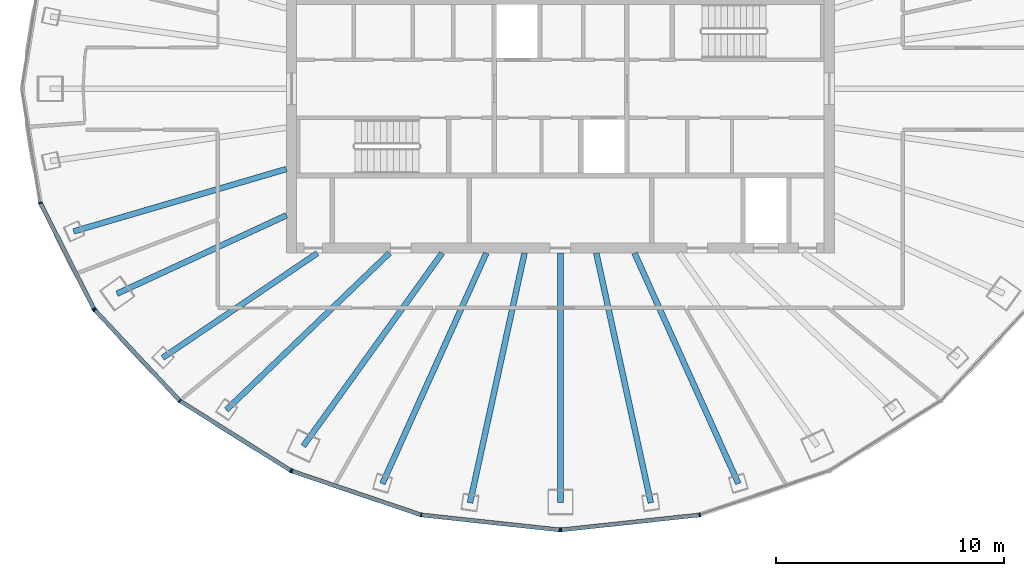
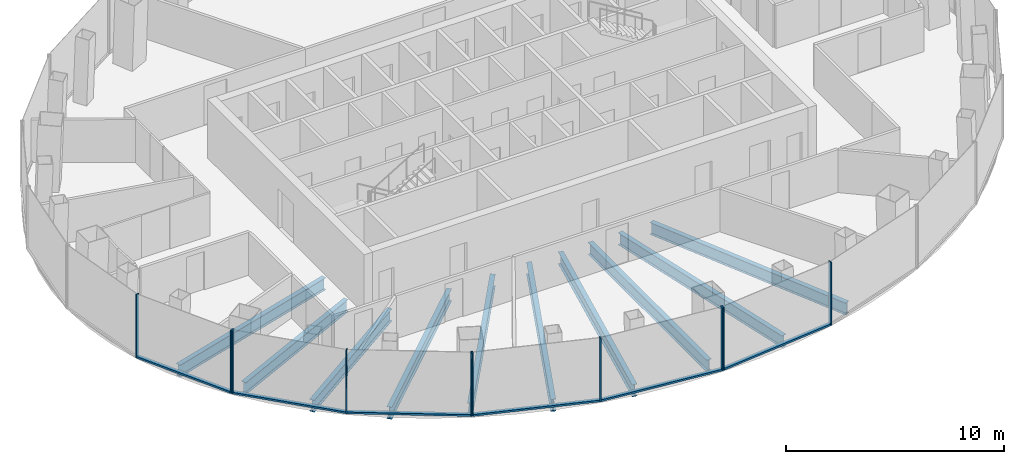
# One storey, part 2 of 13: 16 members, 10 beams, 4 elements without a shape of their own.
"""IFC4 building model written with IfcOpenShell, lengths in metres."""

from ifc_helpers import new_model, si_unit, direction, frame, origin, origin_2d, place, context, subcontext, project, spatial, rectangle, i_section, extrude, material, layer, layer_set, material_profile, profile_set, type_object, element, aggregate, save


model = new_model("IFC4")

# Units and contexts
model_context = context("Model", 3, precision=1e-05, world=origin(), true_north=direction((0.0, 1.0)))
body_context = subcontext(model_context, "Body", "Model", "MODEL_VIEW")
ifc_project = project(units=[si_unit("LENGTHUNIT", "METRE"), si_unit("AREAUNIT", "SQUARE_METRE"), si_unit("VOLUMEUNIT", "CUBIC_METRE"), si_unit("PLANEANGLEUNIT", "RADIAN"), si_unit("MASSUNIT", "GRAM", prefix="KILO")], contexts=[model_context])

# Site, building, storey
site_placement = place(None, origin())
site = spatial("IfcSite", under=ifc_project, at=site_placement, CompositionType="ELEMENT")
building_placement = place(site_placement, origin())
building = spatial("IfcBuilding", under=site, at=building_placement, Name="Siaravel Broadcast Tower", CompositionType="ELEMENT")
storey_placement = place(building_placement, frame((0.0, 0.0, 175.60009765625)))
storey = spatial("IfcBuildingStorey", under=building, at=storey_placement, Name="L42", CompositionType="ELEMENT", Elevation=175.60009765625)

# Beams
ifc_material_1 = material(Name="Steel S355", Category="steel")
ifc_material_profile_1 = material_profile(ifc_material_1, i_section(OverallWidth=0.2529296875, OverallDepth=0.677978515625, WebThickness=0.01171875, FlangeThickness=0.01611328125, FilletRadius=0.01513671875, at=origin_2d()))
ifc_profile_set_1 = profile_set([ifc_material_profile_1], Name="Steel S355")
beam_type = type_object("IfcBeamType", Name="BM-UB 686x254x125", PredefinedType="BEAM", material=ifc_profile_set_1)
beam_1_placement = place(storey_placement, frame((-21.318603515625, -6.248779296875, -0.489013671875), z_axis=(0.959624917, 0.28128281, 0.0), x_axis=(-0.28128281, 0.959624917, 0.0)))
element("IfcBeam", 1, at=beam_1_placement, inside=storey, type_object=beam_type, Name="Radial beam RB21", PredefinedType="BEAM", context=body_context, shape_type="SweptSolid", body=[
    extrude(i_section(OverallWidth=0.2529296875, OverallDepth=0.677978515625, WebThickness=0.01171875, FlangeThickness=0.01611328125, FilletRadius=0.01513671875, at=origin_2d()), origin(), (0.0, 0.0, 1.0), 9.710693359375),
])
beam_2_placement = place(storey_placement, frame((-19.421875, -8.976318359375, -0.489013671875), z_axis=(0.907740774, 0.419531509, 0.0), x_axis=(-0.419531509, 0.907740774, 0.0)))
element("IfcBeam", 2, at=beam_2_placement, inside=storey, type_object=beam_type, Name="Radial beam RB22", PredefinedType="BEAM", context=body_context, shape_type="SweptSolid", body=[
    extrude(i_section(OverallWidth=0.2529296875, OverallDepth=0.677978515625, WebThickness=0.01171875, FlangeThickness=0.01611328125, FilletRadius=0.01513671875, at=origin_2d()), origin(), (0.0, 0.0, 1.0), 8.17626953125),
])
beam_3_placement = place(storey_placement, frame((-17.416015625, -11.781982421875, -0.489013671875), z_axis=(0.828264666, 0.560337079, 0.0), x_axis=(-0.560337079, 0.828264666, 0.0)))
element("IfcBeam", 3, at=beam_3_placement, inside=storey, type_object=beam_type, Name="Radial beam RB23", PredefinedType="BEAM", context=body_context, shape_type="SweptSolid", body=[
    extrude(i_section(OverallWidth=0.2529296875, OverallDepth=0.677978515625, WebThickness=0.01171875, FlangeThickness=0.01611328125, FilletRadius=0.01513671875, at=origin_2d()), origin(), (0.0, 0.0, 1.0), 8.17724609375),
])
beam_4_placement = place(storey_placement, frame((-14.629638671875, -14.064208984375, -0.489013671875), z_axis=(0.720896533, 0.693042704, 0.0), x_axis=(-0.693042704, 0.720896533, 0.0)))
element("IfcBeam", 4, at=beam_4_placement, inside=storey, type_object=beam_type, Name="Radial beam RB24", PredefinedType="BEAM", context=body_context, shape_type="SweptSolid", body=[
    extrude(i_section(OverallWidth=0.2529296875, OverallDepth=0.677978515625, WebThickness=0.01171875, FlangeThickness=0.01611328125, FilletRadius=0.01513671875, at=origin_2d()), origin(), (0.0, 0.0, 1.0), 9.904541015625),
])
beam_5_placement = place(storey_placement, frame((-11.261962890625, -15.650634765625, -0.489013671875), z_axis=(0.584087257, 0.811690875, 0.0), x_axis=(-0.811690875, 0.584087257, 0.0)))
element("IfcBeam", 5, at=beam_5_placement, inside=storey, type_object=beam_type, Name="Radial beam RB25", PredefinedType="BEAM", context=body_context, shape_type="SweptSolid", body=[
    extrude(i_section(OverallWidth=0.2529296875, OverallDepth=0.677978515625, WebThickness=0.01171875, FlangeThickness=0.01611328125, FilletRadius=0.01513671875, at=origin_2d()), origin(), (0.0, 0.0, 1.0), 10.4111328125),
])
beam_6_placement = place(storey_placement, frame((-7.796875, -17.29443359375, -0.489013671875), z_axis=(0.410985242, 0.911641997, 0.0), x_axis=(-0.911641997, 0.410985242, 0.0)))
element("IfcBeam", 6, at=beam_6_placement, inside=storey, type_object=beam_type, Name="Radial beam RB26", PredefinedType="BEAM", context=body_context, shape_type="SweptSolid", body=[
    extrude(i_section(OverallWidth=0.2529296875, OverallDepth=0.677978515625, WebThickness=0.01171875, FlangeThickness=0.01611328125, FilletRadius=0.01513671875, at=origin_2d()), origin(), (0.0, 0.0, 1.0), 11.07275390625),
])
beam_7_placement = place(storey_placement, frame((-3.960205078125, -18.136474609375, -0.489013671875), z_axis=(0.213319616, 0.976982467, 0.0), x_axis=(-0.976982467, 0.213319616, 0.0)))
element("IfcBeam", 7, at=beam_7_placement, inside=storey, type_object=beam_type, Name="Radial beam RB27", PredefinedType="BEAM", context=body_context, shape_type="SweptSolid", body=[
    extrude(i_section(OverallWidth=0.2529296875, OverallDepth=0.677978515625, WebThickness=0.01171875, FlangeThickness=0.01611328125, FilletRadius=0.01513671875, at=origin_2d()), origin(), (0.0, 0.0, 1.0), 11.194091796875),
])
beam_8_placement = place(storey_placement, frame((0.0, -18.1201171875, -0.489013671875), z_axis=(0.0, 1.0, 0.0), x_axis=(-1.0, 0.0, 0.0)))
element("IfcBeam", 8, at=beam_8_placement, inside=storey, type_object=beam_type, Name="Radial beam RB28", PredefinedType="BEAM", context=body_context, shape_type="SweptSolid", body=[
    extrude(i_section(OverallWidth=0.2529296875, OverallDepth=0.677978515625, WebThickness=0.01171875, FlangeThickness=0.01611328125, FilletRadius=0.01513671875, at=origin_2d()), origin(), (0.0, 0.0, 1.0), 10.920166015625),
])
beam_9_placement = place(storey_placement, frame((3.960205078125, -18.136474609375, -0.489013671875), z_axis=(-0.213319616, 0.976982467, 0.0), x_axis=(-0.976982467, -0.213319616, 0.0)))
element("IfcBeam", 9, at=beam_9_placement, inside=storey, type_object=beam_type, Name="Radial beam RB29", PredefinedType="BEAM", context=body_context, shape_type="SweptSolid", body=[
    extrude(i_section(OverallWidth=0.2529296875, OverallDepth=0.677978515625, WebThickness=0.01171875, FlangeThickness=0.01611328125, FilletRadius=0.01513671875, at=origin_2d()), origin(), (0.0, 0.0, 1.0), 11.194091796875),
])
beam_10_placement = place(storey_placement, frame((7.796875, -17.29443359375, -0.489013671875), z_axis=(-0.410985242, 0.911641997, 0.0), x_axis=(-0.911641997, -0.410985242, 0.0)))
element("IfcBeam", 10, at=beam_10_placement, inside=storey, type_object=beam_type, Name="Radial beam RB30", PredefinedType="BEAM", context=body_context, shape_type="SweptSolid", body=[
    extrude(i_section(OverallWidth=0.2529296875, OverallDepth=0.677978515625, WebThickness=0.01171875, FlangeThickness=0.01611328125, FilletRadius=0.01513671875, at=origin_2d()), origin(), (0.0, 0.0, 1.0), 11.07275390625),
])

# Curtain wall, members
ifc_material_2 = material(Name="Aluminium 6063-T6", Category="aluminium")
ifc_layer = layer(ifc_material_2, 0.179931640625)
ifc_layer_set = layer_set([ifc_layer], Name="Aluminium 6063-T6")
curtain_wall_type = type_object("IfcCurtainWallType", Name="Unitised curtain wall, zone 3", PredefinedType="NOTDEFINED", material=ifc_layer_set)
curtain_wall_1_placement = place(storey_placement, origin())
curtain_wall_1 = element("IfcCurtainWall", 11, at=curtain_wall_1_placement, inside=storey, type_object=curtain_wall_type, Name="L42 Unitised curtain wall, zone 3 07", PredefinedType="NOTDEFINED")
ifc_material_profile_2 = material_profile(ifc_material_2, rectangle(XDim=0.179931640625, YDim=0.06005859375, at=origin_2d()))
ifc_profile_set_2 = profile_set([ifc_material_profile_2], Name="Aluminium 6063-T6")
member_type_1 = type_object("IfcMemberType", Name="CW-Z3 mullion", PredefinedType="MULLION", material=ifc_profile_set_2)
member_1_placement = place(storey_placement, frame((-22.7744140625, -5.003662109375, 0.0), z_axis=(0.0, 0.0, 1.0), x_axis=(0.951177137, 0.308645515, 0.0)))
member_1 = element("IfcMember", 12, at=member_1_placement, type_object=member_type_1, Name="CW-Z3 mullion 2", PredefinedType="MULLION", context=body_context, shape_type="SweptSolid", body=[
    extrude(rectangle(XDim=0.179931640625, YDim=0.06005859375, at=origin_2d()), origin(), (0.0, 0.0, 1.0), 3.5498046875),
])
member_2_placement = place(storey_placement, frame((-20.430908203125, -9.63818359375, 0.0), z_axis=(0.0, 0.0, 1.0), x_axis=(0.892391915, 0.4512612, 0.0)))
member_2 = element("IfcMember", 13, at=member_2_placement, type_object=member_type_1, Name="CW-Z3 mullion 3", PredefinedType="MULLION", context=body_context, shape_type="SweptSolid", body=[
    extrude(rectangle(XDim=0.179931640625, YDim=0.06005859375, at=origin_2d()), origin(), (0.0, 0.0, 1.0), 3.5498046875),
])

curtain_wall_2_placement = place(storey_placement, origin())
curtain_wall_2 = element("IfcCurtainWall", 14, at=curtain_wall_2_placement, inside=storey, type_object=curtain_wall_type, Name="L42 Unitised curtain wall, zone 3 08", PredefinedType="NOTDEFINED")
member_3_placement = place(storey_placement, frame((-20.396728515625, -9.68701171875, 0.0), z_axis=(0.0, 0.0, 1.0), x_axis=(0.729804878, 0.683655498, 0.0)))
member_3 = element("IfcMember", 15, at=member_3_placement, type_object=member_type_1, Name="CW-Z3 mullion 1", PredefinedType="MULLION", context=body_context, shape_type="SweptSolid", body=[
    extrude(rectangle(XDim=0.179931640625, YDim=0.06005859375, at=origin_2d()), origin(), (0.0, 0.0, 1.0), 3.5498046875),
])
member_4_placement = place(storey_placement, frame((-16.6689453125, -13.66650390625, 0.0), z_axis=(0.0, 0.0, 1.0), x_axis=(0.63621823, 0.771509147, 0.0)))
member_4 = element("IfcMember", 16, at=member_4_placement, type_object=member_type_1, Name="CW-Z3 mullion 2", PredefinedType="MULLION", context=body_context, shape_type="SweptSolid", body=[
    extrude(rectangle(XDim=0.179931640625, YDim=0.06005859375, at=origin_2d()), origin(), (0.0, 0.0, 1.0), 3.5498046875),
])
member_5_placement = place(storey_placement, frame((-11.81103515625, -16.7197265625, 0.0), z_axis=(0.0, 0.0, 1.0), x_axis=(0.532148789, 0.846650852, 0.0)))
member_5 = element("IfcMember", 17, at=member_5_placement, type_object=member_type_1, Name="CW-Z3 mullion 3", PredefinedType="MULLION", context=body_context, shape_type="SweptSolid", body=[
    extrude(rectangle(XDim=0.179931640625, YDim=0.06005859375, at=origin_2d()), origin(), (0.0, 0.0, 1.0), 3.5498046875),
])

curtain_wall_3_placement = place(storey_placement, origin())
curtain_wall_3 = element("IfcCurtainWall", 18, at=curtain_wall_3_placement, inside=storey, type_object=curtain_wall_type, Name="L42 Unitised curtain wall, zone 3 09", PredefinedType="NOTDEFINED")
member_6_placement = place(storey_placement, frame((-11.75732421875, -16.745361328125, 0.0), z_axis=(0.0, 0.0, 1.0), x_axis=(0.321300283, 0.946977364, 0.0)))
member_6 = element("IfcMember", 19, at=member_6_placement, type_object=member_type_1, Name="CW-Z3 mullion 1", PredefinedType="MULLION", context=body_context, shape_type="SweptSolid", body=[
    extrude(rectangle(XDim=0.179931640625, YDim=0.06005859375, at=origin_2d()), origin(), (0.0, 0.0, 1.0), 3.5498046875),
])
member_7_placement = place(storey_placement, frame((-6.100341796875, -18.664794921875, 0.0), z_axis=(0.0, 0.0, 1.0), x_axis=(0.215557831, 0.976491076, 0.0)))
member_7 = element("IfcMember", 20, at=member_7_placement, type_object=member_type_1, Name="CW-Z3 mullion 2", PredefinedType="MULLION", context=body_context, shape_type="SweptSolid", body=[
    extrude(rectangle(XDim=0.179931640625, YDim=0.06005859375, at=origin_2d()), origin(), (0.0, 0.0, 1.0), 3.5498046875),
])
member_8_placement = place(storey_placement, frame((-0.02978515625, -19.3193359375, 0.0), z_axis=(0.0, 0.0, 1.0), x_axis=(0.107217362, 0.994235605, 0.0)))
member_8 = element("IfcMember", 21, at=member_8_placement, type_object=member_type_1, Name="CW-Z3 mullion 3", PredefinedType="MULLION", context=body_context, shape_type="SweptSolid", body=[
    extrude(rectangle(XDim=0.179931640625, YDim=0.06005859375, at=origin_2d()), origin(), (0.0, 0.0, 1.0), 3.5498046875),
])

curtain_wall_4_placement = place(storey_placement, origin())
curtain_wall_4 = element("IfcCurtainWall", 22, at=curtain_wall_4_placement, inside=storey, type_object=curtain_wall_type, Name="L42 Unitised curtain wall, zone 3 10", PredefinedType="NOTDEFINED")
member_9_placement = place(storey_placement, frame((0.02978515625, -19.3193359375, 0.0), z_axis=(0.0, 0.0, 1.0), x_axis=(-0.107217362, 0.994235605, 0.0)))
member_9 = element("IfcMember", 23, at=member_9_placement, type_object=member_type_1, Name="CW-Z3 mullion 1", PredefinedType="MULLION", context=body_context, shape_type="SweptSolid", body=[
    extrude(rectangle(XDim=0.179931640625, YDim=0.06005859375, at=origin_2d()), origin(), (0.0, 0.0, 1.0), 3.5498046875),
])
member_10_placement = place(storey_placement, frame((6.100341796875, -18.664794921875, 0.0), z_axis=(0.0, 0.0, 1.0), x_axis=(-0.215557831, 0.976491076, 0.0)))
member_10 = element("IfcMember", 24, at=member_10_placement, type_object=member_type_1, Name="CW-Z3 mullion 2", PredefinedType="MULLION", context=body_context, shape_type="SweptSolid", body=[
    extrude(rectangle(XDim=0.179931640625, YDim=0.06005859375, at=origin_2d()), origin(), (0.0, 0.0, 1.0), 3.5498046875),
])

# Member
ifc_material_profile_3 = material_profile(ifc_material_2, rectangle(XDim=0.179931640625, YDim=0.10009765625, at=origin_2d()))
ifc_profile_set_3 = profile_set([ifc_material_profile_3], Name="Aluminium 6063-T6")
member_type_2 = type_object("IfcMemberType", Name="CW-Z3 transom", PredefinedType="USERDEFINED", material=ifc_profile_set_3)
member_11_placement = place(storey_placement, frame((-22.760986328125, -5.030517578125, 0.0498046875), z_axis=(0.451279947, -0.892382435, 0.0), x_axis=(0.892382435, 0.451279947, 0.0)))
member_11 = element("IfcMember", 25, at=member_11_placement, type_object=member_type_2, Name="CW-Z3 transom 2", ObjectType="TRANSOM", PredefinedType="USERDEFINED", context=body_context, shape_type="SweptSolid", body=[
    extrude(rectangle(XDim=0.179931640625, YDim=0.10009765625, at=origin_2d()), origin(), (0.0, 0.0, 1.0), 5.133544921875),
])

aggregate(curtain_wall_1, [member_1, member_2, member_11])

member_12_placement = place(storey_placement, frame((-20.376220703125, -9.708984375, 0.0498046875), z_axis=(0.683663984, -0.729796929, 0.0), x_axis=(0.729796929, 0.683663984, 0.0)))
member_12 = element("IfcMember", 26, at=member_12_placement, type_object=member_type_2, Name="CW-Z3 transom 1", ObjectType="TRANSOM", PredefinedType="USERDEFINED", context=body_context, shape_type="SweptSolid", body=[
    extrude(rectangle(XDim=0.179931640625, YDim=0.10009765625, at=origin_2d()), origin(), (0.0, 0.0, 1.0), 5.392578125),
])

member_13_placement = place(storey_placement, frame((-16.6435546875, -13.682373046875, 0.0498046875), z_axis=(0.84664762, -0.532153933, 0.0), x_axis=(0.532153933, 0.84664762, 0.0)))
member_13 = element("IfcMember", 27, at=member_13_placement, type_object=member_type_2, Name="CW-Z3 transom 2", ObjectType="TRANSOM", PredefinedType="USERDEFINED", context=body_context, shape_type="SweptSolid", body=[
    extrude(rectangle(XDim=0.179931640625, YDim=0.10009765625, at=origin_2d()), origin(), (0.0, 0.0, 1.0), 5.677734375),
])

aggregate(curtain_wall_2, [member_3, member_4, member_5, member_12, member_13])

member_14_placement = place(storey_placement, frame((-11.72900390625, -16.7548828125, 0.0498046875), z_axis=(0.946972868, -0.321313534, 0.0), x_axis=(0.321313534, 0.946972868, 0.0)))
member_14 = element("IfcMember", 28, at=member_14_placement, type_object=member_type_2, Name="CW-Z3 transom 1", ObjectType="TRANSOM", PredefinedType="USERDEFINED", context=body_context, shape_type="SweptSolid", body=[
    extrude(rectangle(XDim=0.179931640625, YDim=0.10009765625, at=origin_2d()), origin(), (0.0, 0.0, 1.0), 5.91357421875),
])

member_15_placement = place(storey_placement, frame((-6.070556640625, -18.66796875, 0.0498046875), z_axis=(0.994235587, -0.107217526, 0.0), x_axis=(0.107217526, 0.994235587, 0.0)))
member_15 = element("IfcMember", 29, at=member_15_placement, type_object=member_type_2, Name="CW-Z3 transom 2", ObjectType="TRANSOM", PredefinedType="USERDEFINED", context=body_context, shape_type="SweptSolid", body=[
    extrude(rectangle(XDim=0.179931640625, YDim=0.10009765625, at=origin_2d()), origin(), (0.0, 0.0, 1.0), 6.045654296875),
])

aggregate(curtain_wall_3, [member_6, member_7, member_8, member_14, member_15])

member_16_placement = place(storey_placement, frame((0.059814453125, -19.316162109375, 0.0498046875), z_axis=(0.994235587, 0.107217526, 0.0), x_axis=(-0.107217526, 0.994235587, 0.0)))
member_16 = element("IfcMember", 30, at=member_16_placement, type_object=member_type_2, Name="CW-Z3 transom 1", ObjectType="TRANSOM", PredefinedType="USERDEFINED", context=body_context, shape_type="SweptSolid", body=[
    extrude(rectangle(XDim=0.179931640625, YDim=0.10009765625, at=origin_2d()), origin(), (0.0, 0.0, 1.0), 6.045654296875),
])

aggregate(curtain_wall_4, [member_9, member_10, member_16])

save(model, "model.ifc")
